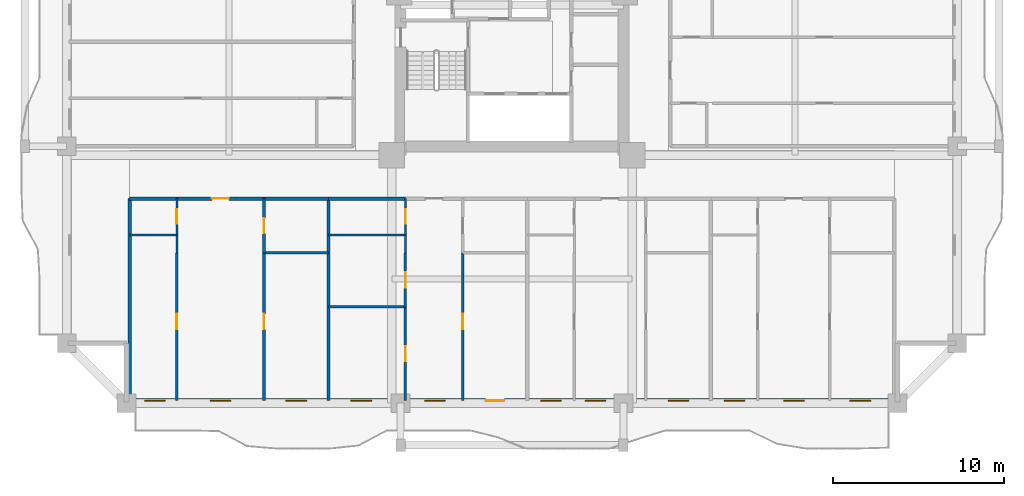
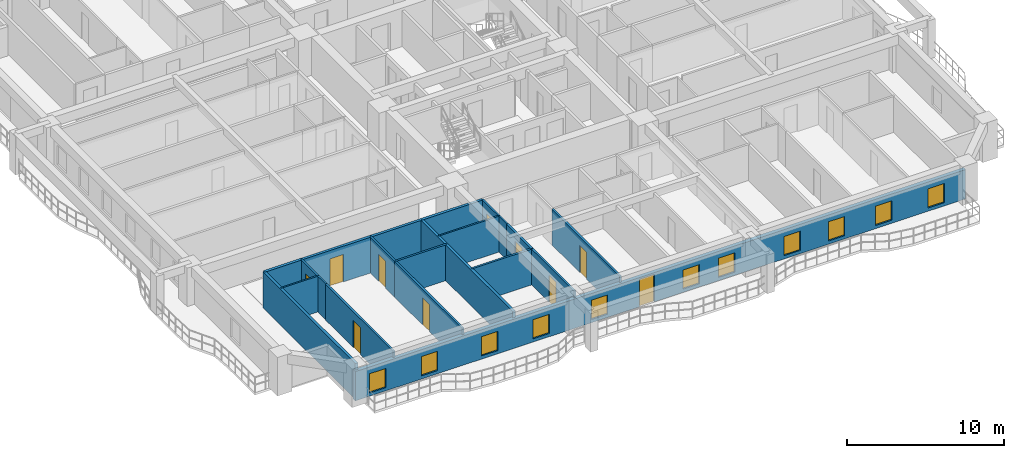
# One storey, part 2 of 16: 21 walls, 11 windows, 10 doors, 21 openings.
"""IFC4 building model written with IfcOpenShell, lengths in metres."""

from ifc_helpers import new_model, si_unit, direction, frame, frame_2d, origin, place, context, subcontext, project, spatial, rectangle, extrude, source, transform, mapped, material, layer, layer_set, type_object, element, fill, save


model = new_model("IFC4")

# Units and contexts
model_context = context("Model", 3, precision=1e-05, world=origin(), true_north=direction((0.0, 1.0)))
body_context = subcontext(model_context, "Body", "Model", "MODEL_VIEW")
ifc_project = project(units=[si_unit("LENGTHUNIT", "METRE"), si_unit("AREAUNIT", "SQUARE_METRE"), si_unit("VOLUMEUNIT", "CUBIC_METRE"), si_unit("PLANEANGLEUNIT", "RADIAN"), si_unit("MASSUNIT", "GRAM", prefix="KILO")], contexts=[model_context])

# Site, building, storey
site_placement = place(None, origin())
site = spatial("IfcSite", under=ifc_project, at=site_placement, CompositionType="ELEMENT")
building_placement = place(site_placement, origin())
building = spatial("IfcBuilding", under=site, at=building_placement, Name="Saelheon Loggia Tower", CompositionType="ELEMENT")
storey_placement = place(building_placement, frame((0.0, 0.0, 31.39990234375)))
storey = spatial("IfcBuildingStorey", under=building, at=storey_placement, Name="L09", CompositionType="ELEMENT", Elevation=31.39990234375)

# Wall, openings, windows, door
ifc_material_1 = material(Name="Architectural Precast Concrete C40/50", Category="concrete")
ifc_layer_1 = layer(ifc_material_1, 0.280029296875)
ifc_layer_set_1 = layer_set([ifc_layer_1], Name="Architectural Precast Concrete C40/50")
wall_type_1 = type_object("IfcWallType", Name="Wall_Ext_Loggia_280", PredefinedType="SOLIDWALL", material=ifc_layer_set_1)
wall_1_placement = place(storey_placement, frame((15.5, 3.139892578125, 0.0), z_axis=(0.0, 0.0, 1.0), x_axis=(1.0, 0.0, 0.0)))
wall_1 = element("IfcWall", 1, at=wall_1_placement, inside=storey, type_object=wall_type_1, Name="L09 South Loggia Inner Wall", PredefinedType="SOLIDWALL", context=body_context, shape_type="SweptSolid", body=[
    extrude(rectangle(XDim=45.0, YDim=0.280029296875, at=frame_2d((22.5, 0.0))), origin(), (0.0, 0.0, 1.0), 2.280029296875),
])
opening_1_placement = place(wall_1_placement, frame((1.06005859375, 0.0, 0.25)))
opening_1 = element("IfcOpeningElement", 2, at=opening_1_placement, cuts=wall_1, Name="Opening WN-03", PredefinedType="OPENING", context=body_context, shape_type="SweptSolid", body=[
    extrude(rectangle(XDim=1.199951171875, YDim=1.5, at=frame_2d((0.60009765625, 0.75))), frame((0.0, 0.152099609375, 0.0), z_axis=(0.0, -1.0, 0.0), x_axis=(1.0, 0.0, 0.0)), (0.0, 0.0, 1.0), 0.303955078125),
])
opening_2_placement = place(wall_1_placement, frame((4.875244140625, 0.0, 0.25)))
opening_2 = element("IfcOpeningElement", 3, at=opening_2_placement, cuts=wall_1, Name="Opening WN-03", PredefinedType="OPENING", context=body_context, shape_type="SweptSolid", body=[
    extrude(rectangle(XDim=1.199951171875, YDim=1.5, at=frame_2d((0.60009765625, 0.75))), frame((0.0, 0.152099609375, 0.0), z_axis=(0.0, -1.0, 0.0), x_axis=(1.0, 0.0, 0.0)), (0.0, 0.0, 1.0), 0.303955078125),
])
opening_3_placement = place(wall_1_placement, frame((9.303466796875, 0.0, 0.25)))
opening_3 = element("IfcOpeningElement", 4, at=opening_3_placement, cuts=wall_1, Name="Opening WN-03", PredefinedType="OPENING", context=body_context, shape_type="SweptSolid", body=[
    extrude(rectangle(XDim=1.199951171875, YDim=1.5, at=frame_2d((0.60009765625, 0.75))), frame((0.0, 0.152099609375, 0.0), z_axis=(0.0, -1.0, 0.0), x_axis=(1.0, 0.0, 0.0)), (0.0, 0.0, 1.0), 0.303955078125),
])
opening_4_placement = place(wall_1_placement, frame((13.09814453125, 0.0, 0.25)))
opening_4 = element("IfcOpeningElement", 5, at=opening_4_placement, cuts=wall_1, Name="Opening WN-03", PredefinedType="OPENING", context=body_context, shape_type="SweptSolid", body=[
    extrude(rectangle(XDim=1.199951171875, YDim=1.5, at=frame_2d((0.60009765625, 0.75))), frame((0.0, 0.152099609375, 0.0), z_axis=(0.0, -1.0, 0.0), x_axis=(1.0, 0.0, 0.0)), (0.0, 0.0, 1.0), 0.303955078125),
])
opening_5_placement = place(wall_1_placement, frame((17.408447265625, 0.0, 0.25)))
opening_5 = element("IfcOpeningElement", 6, at=opening_5_placement, cuts=wall_1, Name="Opening WN-03", PredefinedType="OPENING", context=body_context, shape_type="SweptSolid", body=[
    extrude(rectangle(XDim=1.199951171875, YDim=1.5, at=frame_2d((0.60009765625, 0.75))), frame((0.0, 0.152099609375, 0.0), z_axis=(0.0, -1.0, 0.0), x_axis=(1.0, 0.0, 0.0)), (0.0, 0.0, 1.0), 0.303955078125),
])
opening_6_placement = place(wall_1_placement, frame((22.059814453125, 0.0, 0.0), z_axis=(0.0, 0.0, 1.0), x_axis=(-1.0, 0.0, 0.0)))
opening_6 = element("IfcOpeningElement", 7, at=opening_6_placement, cuts=wall_1, Name="Opening TD1", PredefinedType="OPENING", context=body_context, shape_type="SweptSolid", body=[
    extrude(rectangle(XDim=1.10009765625, YDim=2.14990234375, at=frame_2d((0.550048828125, 1.074951171875))), frame((0.0, 0.152099609375, 0.0), z_axis=(0.0, -1.0, 0.0), x_axis=(1.0, 0.0, 0.0)), (0.0, 0.0, 1.0), 0.303955078125),
])
opening_7_placement = place(wall_1_placement, frame((24.167724609375, 0.0, 0.25)))
opening_7 = element("IfcOpeningElement", 8, at=opening_7_placement, cuts=wall_1, Name="Opening WN-03", PredefinedType="OPENING", context=body_context, shape_type="SweptSolid", body=[
    extrude(rectangle(XDim=1.199951171875, YDim=1.5, at=frame_2d((0.60009765625, 0.75))), frame((0.0, 0.152099609375, 0.0), z_axis=(0.0, -1.0, 0.0), x_axis=(1.0, 0.0, 0.0)), (0.0, 0.0, 1.0), 0.303955078125),
])
opening_8_placement = place(wall_1_placement, frame((26.7763671875, 0.0, 0.25)))
opening_8 = element("IfcOpeningElement", 9, at=opening_8_placement, cuts=wall_1, Name="Opening WN-03", PredefinedType="OPENING", context=body_context, shape_type="SweptSolid", body=[
    extrude(rectangle(XDim=1.199951171875, YDim=1.5, at=frame_2d((0.60009765625, 0.75))), frame((0.0, 0.152099609375, 0.0), z_axis=(0.0, -1.0, 0.0), x_axis=(1.0, 0.0, 0.0)), (0.0, 0.0, 1.0), 0.303955078125),
])
opening_9_placement = place(wall_1_placement, frame((31.61328125, 0.0, 0.25)))
opening_9 = element("IfcOpeningElement", 10, at=opening_9_placement, cuts=wall_1, Name="Opening WN-03", PredefinedType="OPENING", context=body_context, shape_type="SweptSolid", body=[
    extrude(rectangle(XDim=1.199951171875, YDim=1.5, at=frame_2d((0.60009765625, 0.75))), frame((0.0, 0.152099609375, 0.0), z_axis=(0.0, -1.0, 0.0), x_axis=(1.0, 0.0, 0.0)), (0.0, 0.0, 1.0), 0.303955078125),
])
opening_10_placement = place(wall_1_placement, frame((34.88134765625, 0.0, 0.25)))
opening_10 = element("IfcOpeningElement", 11, at=opening_10_placement, cuts=wall_1, Name="Opening WN-03", PredefinedType="OPENING", context=body_context, shape_type="SweptSolid", body=[
    extrude(rectangle(XDim=1.199951171875, YDim=1.5, at=frame_2d((0.60009765625, 0.75))), frame((0.0, 0.152099609375, 0.0), z_axis=(0.0, -1.0, 0.0), x_axis=(1.0, 0.0, 0.0)), (0.0, 0.0, 1.0), 0.303955078125),
])
opening_11_placement = place(wall_1_placement, frame((38.355224609375, 0.0, 0.25)))
opening_11 = element("IfcOpeningElement", 12, at=opening_11_placement, cuts=wall_1, Name="Opening WN-03", PredefinedType="OPENING", context=body_context, shape_type="SweptSolid", body=[
    extrude(rectangle(XDim=1.199951171875, YDim=1.5, at=frame_2d((0.60009765625, 0.75))), frame((0.0, 0.152099609375, 0.0), z_axis=(0.0, -1.0, 0.0), x_axis=(1.0, 0.0, 0.0)), (0.0, 0.0, 1.0), 0.303955078125),
])
opening_12_placement = place(wall_1_placement, frame((42.23193359375, 0.0, 0.25)))
opening_12 = element("IfcOpeningElement", 13, at=opening_12_placement, cuts=wall_1, Name="Opening WN-03", PredefinedType="OPENING", context=body_context, shape_type="SweptSolid", body=[
    extrude(rectangle(XDim=1.199951171875, YDim=1.5, at=frame_2d((0.60009765625, 0.75))), frame((0.0, 0.152099609375, 0.0), z_axis=(0.0, -1.0, 0.0), x_axis=(1.0, 0.0, 0.0)), (0.0, 0.0, 1.0), 0.303955078125),
])
ifc_material_2 = material(Name="Thermal-Break Aluminium and Triple Low-E Glass", Category="aluminium")
window_type = type_object("IfcWindowType", Name="Win_Bedroom_1200x1500", PartitioningType="SINGLE_PANEL", PredefinedType="WINDOW", material=ifc_material_2)
shared_shape_1 = source(origin(), body_context, "Body", "SweptSolid", [
    extrude(rectangle(XDim=1.199951171875, YDim=1.5, at=frame_2d((0.60009765625, 0.75))), frame((0.0, 0.030029296875, 0.0), z_axis=(0.0, -1.0, 0.0), x_axis=(1.0, 0.0, 0.0)), (0.0, 0.0, 1.0), 0.06005859375),
])
window_1_placement = place(opening_1_placement, origin())
window_1 = element("IfcWindow", 14, at=window_1_placement, inside=storey, type_object=window_type, Name="L09 S Dwelling Window 1", OverallHeight=1.5, OverallWidth=1.199951171875, PartitioningType="SINGLE_PANEL", PredefinedType="WINDOW", context=body_context, shape_type="MappedRepresentation", body=[
    mapped(shared_shape_1, transform((0.0, 0.0, 0.0), scale=1.0)),
])
fill(opening_1, window_1)
window_2_placement = place(opening_2_placement, origin())
window_2 = element("IfcWindow", 15, at=window_2_placement, inside=storey, type_object=window_type, Name="L09 S Dwelling Window 2", OverallHeight=1.5, OverallWidth=1.199951171875, PartitioningType="SINGLE_PANEL", PredefinedType="WINDOW", context=body_context, shape_type="MappedRepresentation", body=[
    mapped(shared_shape_1, transform((0.0, 0.0, 0.0), scale=1.0)),
])
fill(opening_2, window_2)
window_3_placement = place(opening_3_placement, origin())
window_3 = element("IfcWindow", 16, at=window_3_placement, inside=storey, type_object=window_type, Name="L09 S Dwelling Window 3", OverallHeight=1.5, OverallWidth=1.199951171875, PartitioningType="SINGLE_PANEL", PredefinedType="WINDOW", context=body_context, shape_type="MappedRepresentation", body=[
    mapped(shared_shape_1, transform((0.0, 0.0, 0.0), scale=1.0)),
])
fill(opening_3, window_3)
window_4_placement = place(opening_4_placement, origin())
window_4 = element("IfcWindow", 17, at=window_4_placement, inside=storey, type_object=window_type, Name="L09 S Dwelling Window 4", OverallHeight=1.5, OverallWidth=1.199951171875, PartitioningType="SINGLE_PANEL", PredefinedType="WINDOW", context=body_context, shape_type="MappedRepresentation", body=[
    mapped(shared_shape_1, transform((0.0, 0.0, 0.0), scale=1.0)),
])
fill(opening_4, window_4)
window_5_placement = place(opening_5_placement, origin())
window_5 = element("IfcWindow", 18, at=window_5_placement, inside=storey, type_object=window_type, Name="L09 S Dwelling Window 5", OverallHeight=1.5, OverallWidth=1.199951171875, PartitioningType="SINGLE_PANEL", PredefinedType="WINDOW", context=body_context, shape_type="MappedRepresentation", body=[
    mapped(shared_shape_1, transform((0.0, 0.0, 0.0), scale=1.0)),
])
fill(opening_5, window_5)
window_6_placement = place(opening_7_placement, origin())
window_6 = element("IfcWindow", 19, at=window_6_placement, inside=storey, type_object=window_type, Name="L09 S Dwelling Window 7", OverallHeight=1.5, OverallWidth=1.199951171875, PartitioningType="SINGLE_PANEL", PredefinedType="WINDOW", context=body_context, shape_type="MappedRepresentation", body=[
    mapped(shared_shape_1, transform((0.0, 0.0, 0.0), scale=1.0)),
])
fill(opening_7, window_6)
window_7_placement = place(opening_8_placement, origin())
window_7 = element("IfcWindow", 20, at=window_7_placement, inside=storey, type_object=window_type, Name="L09 S Dwelling Window 8", OverallHeight=1.5, OverallWidth=1.199951171875, PartitioningType="SINGLE_PANEL", PredefinedType="WINDOW", context=body_context, shape_type="MappedRepresentation", body=[
    mapped(shared_shape_1, transform((0.0, 0.0, 0.0), scale=1.0)),
])
fill(opening_8, window_7)
window_8_placement = place(opening_9_placement, origin())
window_8 = element("IfcWindow", 21, at=window_8_placement, inside=storey, type_object=window_type, Name="L09 S Dwelling Window 9", OverallHeight=1.5, OverallWidth=1.199951171875, PartitioningType="SINGLE_PANEL", PredefinedType="WINDOW", context=body_context, shape_type="MappedRepresentation", body=[
    mapped(shared_shape_1, transform((0.0, 0.0, 0.0), scale=1.0)),
])
fill(opening_9, window_8)
window_9_placement = place(opening_10_placement, origin())
window_9 = element("IfcWindow", 22, at=window_9_placement, inside=storey, type_object=window_type, Name="L09 S Dwelling Window 10", OverallHeight=1.5, OverallWidth=1.199951171875, PartitioningType="SINGLE_PANEL", PredefinedType="WINDOW", context=body_context, shape_type="MappedRepresentation", body=[
    mapped(shared_shape_1, transform((0.0, 0.0, 0.0), scale=1.0)),
])
fill(opening_10, window_9)
window_10_placement = place(opening_11_placement, origin())
window_10 = element("IfcWindow", 23, at=window_10_placement, inside=storey, type_object=window_type, Name="L09 S Dwelling Window 11", OverallHeight=1.5, OverallWidth=1.199951171875, PartitioningType="SINGLE_PANEL", PredefinedType="WINDOW", context=body_context, shape_type="MappedRepresentation", body=[
    mapped(shared_shape_1, transform((0.0, 0.0, 0.0), scale=1.0)),
])
fill(opening_11, window_10)
window_11_placement = place(opening_12_placement, origin())
window_11 = element("IfcWindow", 24, at=window_11_placement, inside=storey, type_object=window_type, Name="L09 S Dwelling Window 12", OverallHeight=1.5, OverallWidth=1.199951171875, PartitioningType="SINGLE_PANEL", PredefinedType="WINDOW", context=body_context, shape_type="MappedRepresentation", body=[
    mapped(shared_shape_1, transform((0.0, 0.0, 0.0), scale=1.0)),
])
fill(opening_12, window_11)
ifc_material_3 = material(Name="Thermal-Break Aluminium Glazed Door", Category="aluminium")
door_type_1 = type_object("IfcDoorType", Name="Door_Terrace_TD1", OperationType="NOTDEFINED", PredefinedType="DOOR", material=ifc_material_3)
shared_shape_2 = source(origin(), body_context, "Body", "SweptSolid", [
    extrude(rectangle(XDim=1.10009765625, YDim=2.14990234375, at=frame_2d((0.550048828125, 1.074951171875))), frame((0.0, 0.02490234375, 0.0), z_axis=(0.0, -1.0, 0.0), x_axis=(1.0, 0.0, 0.0)), (0.0, 0.0, 1.0), 0.050048828125),
])
door_1_placement = place(opening_6_placement, origin())
door_1 = element("IfcDoor", 25, at=door_1_placement, inside=storey, type_object=door_type_1, Name="L09 S Loggia Access Door", OperationType="SINGLE_SWING_RIGHT", OverallHeight=2.14990234375, OverallWidth=1.10009765625, PredefinedType="DOOR", context=body_context, shape_type="MappedRepresentation", body=[
    mapped(shared_shape_2, transform((0.0, 0.0, 0.0), scale=1.0)),
])
fill(opening_6, door_1)

# Wall
ifc_material_4 = material(Name="Lightweight Autoclaved Aerated Concrete Block and Acoustic Gypsum", Category="concrete")
ifc_layer_2 = layer(ifc_material_4, 0.14990234375)
ifc_layer_set_2 = layer_set([ifc_layer_2], Name="Lightweight Autoclaved Aerated Concrete Block and Acoustic Gypsum")
wall_type_2 = type_object("IfcWallType", Name="Wall_Part_150", PredefinedType="PARTITIONING", material=ifc_layer_set_2)
wall_2_placement = place(storey_placement, frame((23.5205078125, 11.780029296875, 0.0), z_axis=(0.0, 0.0, 1.0), x_axis=(1.0, 0.0, 0.0)))
element("IfcWall", 26, at=wall_2_placement, inside=storey, type_object=wall_type_2, Name="L09 S Partition V07", PredefinedType="PARTITIONING", context=body_context, shape_type="SweptSolid", body=[
    extrude(rectangle(XDim=3.765869140625, YDim=0.14990234375, at=frame_2d((1.8828125, 0.0))), origin(), (0.0, 0.0, 1.0), 2.7900390625),
])

# Wall, opening, door
wall_3_placement = place(storey_placement, frame((18.429931640625, 11.780029296875, 0.0), z_axis=(0.0, 0.0, 1.0), x_axis=(0.0, -1.0, 0.0)))
wall_3 = element("IfcWall", 27, at=wall_3_placement, inside=storey, type_object=wall_type_2, Name="L09 S Partition U10", PredefinedType="PARTITIONING", context=body_context, shape_type="SweptSolid", body=[
    extrude(rectangle(XDim=8.630126953125, YDim=0.14990234375, at=frame_2d((4.31494140625, 0.0))), origin(), (0.0, 0.0, 1.0), 2.7900390625),
])
opening_13_placement = place(wall_3_placement, frame((3.56298828125, 0.0, 0.0)))
opening_13 = element("IfcOpeningElement", 28, at=opening_13_placement, cuts=wall_3, Name="Opening D-IN2", PredefinedType="OPENING", context=body_context, shape_type="SweptSolid", body=[
    extrude(rectangle(XDim=0.89990234375, YDim=2.10009765625, at=frame_2d((0.449951171875, 1.050048828125))), frame((0.0, 0.0869140625, 0.0), z_axis=(0.0, -1.0, 0.0), x_axis=(1.0, 0.0, 0.0)), (0.0, 0.0, 1.0), 0.173828125),
])
ifc_material_5 = material(Name="Engineered Oak Flush Door", Category="timber")
door_type_2 = type_object("IfcDoorType", Name="Door_Int_900", OperationType="NOTDEFINED", PredefinedType="DOOR", material=ifc_material_5)
shared_shape_3 = source(origin(), body_context, "Body", "SweptSolid", [
    extrude(rectangle(XDim=0.89990234375, YDim=2.10009765625, at=frame_2d((0.449951171875, 1.050048828125))), frame((0.0, 0.02490234375, 0.0), z_axis=(0.0, -1.0, 0.0), x_axis=(1.0, 0.0, 0.0)), (0.0, 0.0, 1.0), 0.050048828125),
])
door_2_placement = place(opening_13_placement, origin())
door_2 = element("IfcDoor", 29, at=door_2_placement, inside=storey, type_object=door_type_2, Name="Unit U01 Kitchen Door", OperationType="SINGLE_SWING_LEFT", OverallHeight=2.10009765625, OverallWidth=0.89990234375, PredefinedType="DOOR", context=body_context, shape_type="MappedRepresentation", body=[
    mapped(shared_shape_3, transform((0.0, 0.0, 0.0), scale=1.0)),
])
fill(opening_13, door_2)

wall_4_placement = place(storey_placement, frame((23.5205078125, 14.949951171875, 0.0), z_axis=(0.0, 0.0, 1.0), x_axis=(0.0, -1.0, 0.0)))
wall_4 = element("IfcWall", 30, at=wall_4_placement, inside=storey, type_object=wall_type_2, Name="L09 S Partition U11", PredefinedType="PARTITIONING", context=body_context, shape_type="SweptSolid", body=[
    extrude(rectangle(XDim=3.169921875, YDim=0.14990234375, at=frame_2d((1.5849609375, 0.0))), origin(), (0.0, 0.0, 1.0), 2.7900390625),
])
opening_14_placement = place(wall_4_placement, frame((1.135009765625, 0.0, 0.0)))
opening_14 = element("IfcOpeningElement", 31, at=opening_14_placement, cuts=wall_4, Name="Opening D-IN2", PredefinedType="OPENING", context=body_context, shape_type="SweptSolid", body=[
    extrude(rectangle(XDim=0.89990234375, YDim=2.10009765625, at=frame_2d((0.449951171875, 1.050048828125))), frame((0.0, 0.0869140625, 0.0), z_axis=(0.0, -1.0, 0.0), x_axis=(1.0, 0.0, 0.0)), (0.0, 0.0, 1.0), 0.173828125),
])
door_3_placement = place(opening_14_placement, origin())
door_3 = element("IfcDoor", 32, at=door_3_placement, inside=storey, type_object=door_type_2, Name="Unit U01 Home Office Door", OperationType="SINGLE_SWING_RIGHT", OverallHeight=2.10009765625, OverallWidth=0.89990234375, PredefinedType="DOOR", context=body_context, shape_type="MappedRepresentation", body=[
    mapped(shared_shape_3, transform((0.0, 0.0, 0.0), scale=1.0)),
])
fill(opening_14, door_3)

wall_5_placement = place(storey_placement, frame((23.5205078125, 11.780029296875, 0.0), z_axis=(0.0, 0.0, 1.0), x_axis=(0.0, -1.0, 0.0)))
wall_5 = element("IfcWall", 33, at=wall_5_placement, inside=storey, type_object=wall_type_2, Name="L09 S Partition U12", PredefinedType="PARTITIONING", context=body_context, shape_type="SweptSolid", body=[
    extrude(rectangle(XDim=8.630126953125, YDim=0.14990234375, at=frame_2d((4.31494140625, 0.0))), origin(), (0.0, 0.0, 1.0), 2.7900390625),
])
opening_15_placement = place(wall_5_placement, frame((3.56298828125, 0.0, 0.0)))
opening_15 = element("IfcOpeningElement", 34, at=opening_15_placement, cuts=wall_5, Name="Opening D-IN2", PredefinedType="OPENING", context=body_context, shape_type="SweptSolid", body=[
    extrude(rectangle(XDim=0.89990234375, YDim=2.10009765625, at=frame_2d((0.449951171875, 1.050048828125))), frame((0.0, 0.0869140625, 0.0), z_axis=(0.0, -1.0, 0.0), x_axis=(1.0, 0.0, 0.0)), (0.0, 0.0, 1.0), 0.173828125),
])
door_4_placement = place(opening_15_placement, origin())
door_4 = element("IfcDoor", 35, at=door_4_placement, inside=storey, type_object=door_type_2, Name="Unit U01 Bedroom 1 Door", OperationType="SINGLE_SWING_LEFT", OverallHeight=2.10009765625, OverallWidth=0.89990234375, PredefinedType="DOOR", context=body_context, shape_type="MappedRepresentation", body=[
    mapped(shared_shape_3, transform((0.0, 0.0, 0.0), scale=1.0)),
])
fill(opening_15, door_4)

# Wall
wall_6_placement = place(storey_placement, frame((27.286376953125, 8.6298828125, 0.0), z_axis=(0.0, 0.0, 1.0), x_axis=(1.0, 0.0, 0.0)))
element("IfcWall", 36, at=wall_6_placement, inside=storey, type_object=wall_type_2, Name="L09 S Partition V21", PredefinedType="PARTITIONING", context=body_context, shape_type="SweptSolid", body=[
    extrude(rectangle(XDim=4.49365234375, YDim=0.14990234375, at=frame_2d((2.246826171875, 0.0))), origin(), (0.0, 0.0, 1.0), 2.7900390625),
])

# Wall, opening, door
wall_7_placement = place(storey_placement, frame((31.780029296875, 11.780029296875, 0.0), z_axis=(0.0, 0.0, 1.0), x_axis=(0.0, -1.0, 0.0)))
wall_7 = element("IfcWall", 37, at=wall_7_placement, inside=storey, type_object=wall_type_2, Name="L09 S Partition U22", PredefinedType="PARTITIONING", context=body_context, shape_type="SweptSolid", body=[
    extrude(rectangle(XDim=3.150146484375, YDim=0.14990234375, at=frame_2d((1.5751953125, 0.0))), origin(), (0.0, 0.0, 1.0), 2.7900390625),
])
opening_16_placement = place(wall_7_placement, frame((1.125, 0.0, 0.0)))
opening_16 = element("IfcOpeningElement", 38, at=opening_16_placement, cuts=wall_7, Name="Opening D-IN2", PredefinedType="OPENING", context=body_context, shape_type="SweptSolid", body=[
    extrude(rectangle(XDim=0.89990234375, YDim=2.10009765625, at=frame_2d((0.449951171875, 1.050048828125))), frame((0.0, 0.0869140625, 0.0), z_axis=(0.0, -1.0, 0.0), x_axis=(1.0, 0.0, 0.0)), (0.0, 0.0, 1.0), 0.173828125),
])
door_5_placement = place(opening_16_placement, origin())
door_5 = element("IfcDoor", 39, at=door_5_placement, inside=storey, type_object=door_type_2, Name="Unit U02 Kitchen Door", OperationType="SINGLE_SWING_RIGHT", OverallHeight=2.10009765625, OverallWidth=0.89990234375, PredefinedType="DOOR", context=body_context, shape_type="MappedRepresentation", body=[
    mapped(shared_shape_3, transform((0.0, 0.0, 0.0), scale=1.0)),
])
fill(opening_16, door_5)

wall_8_placement = place(storey_placement, frame((31.780029296875, 8.6298828125, 0.0), z_axis=(0.0, 0.0, 1.0), x_axis=(0.0, -1.0, 0.0)))
wall_8 = element("IfcWall", 40, at=wall_8_placement, inside=storey, type_object=wall_type_2, Name="L09 S Partition U23", PredefinedType="PARTITIONING", context=body_context, shape_type="SweptSolid", body=[
    extrude(rectangle(XDim=5.47998046875, YDim=0.14990234375, at=frame_2d((2.739990234375, 0.0))), origin(), (0.0, 0.0, 1.0), 2.7900390625),
])
opening_17_placement = place(wall_8_placement, frame((2.2900390625, 0.0, 0.0)))
opening_17 = element("IfcOpeningElement", 41, at=opening_17_placement, cuts=wall_8, Name="Opening D-IN2", PredefinedType="OPENING", context=body_context, shape_type="SweptSolid", body=[
    extrude(rectangle(XDim=0.89990234375, YDim=2.10009765625, at=frame_2d((0.449951171875, 1.050048828125))), frame((0.0, 0.0869140625, 0.0), z_axis=(0.0, -1.0, 0.0), x_axis=(1.0, 0.0, 0.0)), (0.0, 0.0, 1.0), 0.173828125),
])
door_6_placement = place(opening_17_placement, origin())
door_6 = element("IfcDoor", 42, at=door_6_placement, inside=storey, type_object=door_type_2, Name="Unit U02 Utility Door", OperationType="SINGLE_SWING_LEFT", OverallHeight=2.10009765625, OverallWidth=0.89990234375, PredefinedType="DOOR", context=body_context, shape_type="MappedRepresentation", body=[
    mapped(shared_shape_3, transform((0.0, 0.0, 0.0), scale=1.0)),
])
fill(opening_17, door_6)

wall_9_placement = place(storey_placement, frame((35.126953125, 11.780029296875, 0.0), z_axis=(0.0, 0.0, 1.0), x_axis=(0.0, -1.0, 0.0)))
wall_9 = element("IfcWall", 43, at=wall_9_placement, inside=storey, type_object=wall_type_2, Name="L09 S Partition U25", PredefinedType="PARTITIONING", context=body_context, shape_type="SweptSolid", body=[
    extrude(rectangle(XDim=8.630126953125, YDim=0.14990234375, at=frame_2d((4.31494140625, 0.0))), origin(), (0.0, 0.0, 1.0), 2.7900390625),
])
opening_18_placement = place(wall_9_placement, frame((3.56298828125, 0.0, 0.0)))
opening_18 = element("IfcOpeningElement", 44, at=opening_18_placement, cuts=wall_9, Name="Opening D-IN2", PredefinedType="OPENING", context=body_context, shape_type="SweptSolid", body=[
    extrude(rectangle(XDim=0.89990234375, YDim=2.10009765625, at=frame_2d((0.449951171875, 1.050048828125))), frame((0.0, 0.0869140625, 0.0), z_axis=(0.0, -1.0, 0.0), x_axis=(1.0, 0.0, 0.0)), (0.0, 0.0, 1.0), 0.173828125),
])
door_7_placement = place(opening_18_placement, origin())
door_7 = element("IfcDoor", 45, at=door_7_placement, inside=storey, type_object=door_type_2, Name="Unit U02 Bedroom 1 Door", OperationType="SINGLE_SWING_LEFT", OverallHeight=2.10009765625, OverallWidth=0.89990234375, PredefinedType="DOOR", context=body_context, shape_type="MappedRepresentation", body=[
    mapped(shared_shape_3, transform((0.0, 0.0, 0.0), scale=1.0)),
])
fill(opening_18, door_7)

# Walls
ifc_material_6 = material(Name="Double Acoustic Stud and Fireboard Partition", Category="gypsum")
ifc_layer_3 = layer(ifc_material_6, 0.199951171875)
ifc_layer_set_3 = layer_set([ifc_layer_3], Name="Double Acoustic Stud and Fireboard Partition")
wall_type_3 = type_object("IfcWallType", Name="Wall_Party_200", PredefinedType="PARTITIONING", material=ifc_layer_set_3)
wall_10_placement = place(storey_placement, frame((15.679931640625, 14.949951171875, 0.0), z_axis=(0.0, 0.0, 1.0), x_axis=(0.0, -1.0, 0.0)))
element("IfcWall", 46, at=wall_10_placement, inside=storey, type_object=wall_type_3, Name="L09 S Partition U01", PredefinedType="PARTITIONING", context=body_context, shape_type="SweptSolid", body=[
    extrude(rectangle(XDim=11.800048828125, YDim=0.199951171875, at=frame_2d((5.89990234375, 0.0))), origin(), (0.0, 0.0, 1.0), 2.7900390625),
])
wall_11_placement = place(storey_placement, frame((15.679931640625, 14.949951171875, 0.0), z_axis=(0.0, 0.0, 1.0), x_axis=(1.0, 0.0, 0.0)))
element("IfcWall", 47, at=wall_11_placement, inside=storey, type_object=wall_type_3, Name="L09 S Partition V03", PredefinedType="PARTITIONING", context=body_context, shape_type="SweptSolid", body=[
    extrude(rectangle(XDim=2.75, YDim=0.199951171875, at=frame_2d((1.375, 0.0))), origin(), (0.0, 0.0, 1.0), 2.7900390625),
])

# Wall, opening, door
wall_12_placement = place(storey_placement, frame((18.429931640625, 14.949951171875, 0.0), z_axis=(0.0, 0.0, 1.0), x_axis=(1.0, 0.0, 0.0)))
wall_12 = element("IfcWall", 48, at=wall_12_placement, inside=storey, type_object=wall_type_3, Name="L09 S Partition V04", PredefinedType="PARTITIONING", context=body_context, shape_type="SweptSolid", body=[
    extrude(rectangle(XDim=5.090576171875, YDim=0.199951171875, at=frame_2d((2.54541015625, 0.0))), origin(), (0.0, 0.0, 1.0), 2.7900390625),
])
opening_19_placement = place(wall_12_placement, frame((2.045166015625, 0.0, 0.0)))
opening_19 = element("IfcOpeningElement", 49, at=opening_19_placement, cuts=wall_12, Name="Opening D-FD1", PredefinedType="OPENING", context=body_context, shape_type="SweptSolid", body=[
    extrude(rectangle(XDim=1.0, YDim=2.14990234375, at=frame_2d((0.5, 1.074951171875))), frame((0.0, 0.112060546875, 0.0), z_axis=(0.0, -1.0, 0.0), x_axis=(1.0, 0.0, 0.0)), (0.0, 0.0, 1.0), 0.223876953125),
])
ifc_material_7 = material(Name="Fire-Rated Engineered Timber Entrance Door", Category="wood")
door_type_3 = type_object("IfcDoorType", Name="Door_Flat_FD30S", OperationType="NOTDEFINED", PredefinedType="DOOR", material=ifc_material_7)
shared_shape_4 = source(origin(), body_context, "Body", "SweptSolid", [
    extrude(rectangle(XDim=1.0, YDim=2.14990234375, at=frame_2d((0.5, 1.074951171875))), frame((0.0, 0.02490234375, 0.0), z_axis=(0.0, -1.0, 0.0), x_axis=(1.0, 0.0, 0.0)), (0.0, 0.0, 1.0), 0.050048828125),
])
door_8_placement = place(opening_19_placement, origin())
door_8 = element("IfcDoor", 50, at=door_8_placement, inside=storey, type_object=door_type_3, Name="Unit U01 Entrance Door", OperationType="SINGLE_SWING_LEFT", OverallHeight=2.14990234375, OverallWidth=1.0, PredefinedType="DOOR", context=body_context, shape_type="MappedRepresentation", body=[
    mapped(shared_shape_4, transform((0.0, 0.0, 0.0), scale=1.0)),
])
fill(opening_19, door_8)

# Walls
wall_13_placement = place(storey_placement, frame((23.5205078125, 14.949951171875, 0.0), z_axis=(0.0, 0.0, 1.0), x_axis=(1.0, 0.0, 0.0)))
element("IfcWall", 51, at=wall_13_placement, inside=storey, type_object=wall_type_3, Name="L09 S Partition V05", PredefinedType="PARTITIONING", context=body_context, shape_type="SweptSolid", body=[
    extrude(rectangle(XDim=3.765869140625, YDim=0.199951171875, at=frame_2d((1.8828125, 0.0))), origin(), (0.0, 0.0, 1.0), 2.7900390625),
])
wall_14_placement = place(storey_placement, frame((27.286376953125, 14.949951171875, 0.0), z_axis=(0.0, 0.0, 1.0), x_axis=(0.0, -1.0, 0.0)))
element("IfcWall", 52, at=wall_14_placement, inside=storey, type_object=wall_type_3, Name="L09 S Partition U13", PredefinedType="PARTITIONING", context=body_context, shape_type="SweptSolid", body=[
    extrude(rectangle(XDim=11.800048828125, YDim=0.199951171875, at=frame_2d((5.89990234375, 0.0))), origin(), (0.0, 0.0, 1.0), 2.7900390625),
])
wall_15_placement = place(storey_placement, frame((27.286376953125, 14.949951171875, 0.0), z_axis=(0.0, 0.0, 1.0), x_axis=(1.0, 0.0, 0.0)))
element("IfcWall", 53, at=wall_15_placement, inside=storey, type_object=wall_type_3, Name="L09 S Partition V14", PredefinedType="PARTITIONING", context=body_context, shape_type="SweptSolid", body=[
    extrude(rectangle(XDim=4.49365234375, YDim=0.199951171875, at=frame_2d((2.246826171875, 0.0))), origin(), (0.0, 0.0, 1.0), 2.7900390625),
])
ifc_material_8 = material(Name="Moisture-Resistant Cement Board Partition", Category="gypsum")
ifc_layer_4 = layer(ifc_material_8, 0.1201171875)
ifc_layer_set_4 = layer_set([ifc_layer_4], Name="Moisture-Resistant Cement Board Partition")
wall_type_4 = type_object("IfcWallType", Name="Wall_WetPart_120", PredefinedType="PARTITIONING", material=ifc_layer_set_4)
wall_16_placement = place(storey_placement, frame((15.679931640625, 12.830078125, 0.0), z_axis=(0.0, 0.0, 1.0), x_axis=(1.0, 0.0, 0.0)))
element("IfcWall", 54, at=wall_16_placement, inside=storey, type_object=wall_type_4, Name="L09 S Partition V06", PredefinedType="PARTITIONING", context=body_context, shape_type="SweptSolid", body=[
    extrude(rectangle(XDim=2.75, YDim=0.1201171875, at=frame_2d((1.375, 0.0))), origin(), (0.0, 0.0, 1.0), 2.7900390625),
])

# Wall, opening, door
wall_17_placement = place(storey_placement, frame((18.429931640625, 14.949951171875, 0.0), z_axis=(0.0, 0.0, 1.0), x_axis=(0.0, -1.0, 0.0)))
wall_17 = element("IfcWall", 55, at=wall_17_placement, inside=storey, type_object=wall_type_4, Name="L09 S Partition U08", PredefinedType="PARTITIONING", context=body_context, shape_type="SweptSolid", body=[
    extrude(rectangle(XDim=2.119873046875, YDim=0.1201171875, at=frame_2d((1.06005859375, 0.0))), origin(), (0.0, 0.0, 1.0), 2.7900390625),
])
opening_20_placement = place(wall_17_placement, frame((0.635009765625, 0.0, 0.0)))
opening_20 = element("IfcOpeningElement", 56, at=opening_20_placement, cuts=wall_17, Name="Opening D-BT1", PredefinedType="OPENING", context=body_context, shape_type="SweptSolid", body=[
    extrude(rectangle(XDim=0.85009765625, YDim=2.050048828125, at=frame_2d((0.425048828125, 1.02490234375))), frame((0.0, 0.072021484375, 0.0), z_axis=(0.0, -1.0, 0.0), x_axis=(1.0, 0.0, 0.0)), (0.0, 0.0, 1.0), 0.14404296875),
])
ifc_material_9 = material(Name="Moisture-Resistant Laminate Timber Door", Category="wood")
door_type_4 = type_object("IfcDoorType", Name="Door_Bath_850", OperationType="NOTDEFINED", PredefinedType="DOOR", material=ifc_material_9)
shared_shape_5 = source(origin(), body_context, "Body", "SweptSolid", [
    extrude(rectangle(XDim=0.85009765625, YDim=2.050048828125, at=frame_2d((0.425048828125, 1.02490234375))), frame((0.0, 0.02490234375, 0.0), z_axis=(0.0, -1.0, 0.0), x_axis=(1.0, 0.0, 0.0)), (0.0, 0.0, 1.0), 0.050048828125),
])
door_9_placement = place(opening_20_placement, origin())
door_9 = element("IfcDoor", 57, at=door_9_placement, inside=storey, type_object=door_type_4, Name="Unit U01 Bathroom Door", OperationType="SINGLE_SWING_RIGHT", OverallHeight=2.050048828125, OverallWidth=0.85009765625, PredefinedType="DOOR", context=body_context, shape_type="MappedRepresentation", body=[
    mapped(shared_shape_5, transform((0.0, 0.0, 0.0), scale=1.0)),
])
fill(opening_20, door_9)

# Walls
wall_18_placement = place(storey_placement, frame((18.429931640625, 12.830078125, 0.0), z_axis=(0.0, 0.0, 1.0), x_axis=(0.0, -1.0, 0.0)))
element("IfcWall", 58, at=wall_18_placement, inside=storey, type_object=wall_type_4, Name="L09 S Partition U09", PredefinedType="PARTITIONING", context=body_context, shape_type="SweptSolid", body=[
    extrude(rectangle(XDim=1.050048828125, YDim=0.1201171875, at=frame_2d((0.52490234375, 0.0))), origin(), (0.0, 0.0, 1.0), 2.7900390625),
])
wall_19_placement = place(storey_placement, frame((27.286376953125, 12.830078125, 0.0), z_axis=(0.0, 0.0, 1.0), x_axis=(1.0, 0.0, 0.0)))
element("IfcWall", 59, at=wall_19_placement, inside=storey, type_object=wall_type_4, Name="L09 S Partition V17", PredefinedType="PARTITIONING", context=body_context, shape_type="SweptSolid", body=[
    extrude(rectangle(XDim=4.49365234375, YDim=0.1201171875, at=frame_2d((2.246826171875, 0.0))), origin(), (0.0, 0.0, 1.0), 2.7900390625),
])

# Wall, opening, door
wall_20_placement = place(storey_placement, frame((31.780029296875, 14.949951171875, 0.0), z_axis=(0.0, 0.0, 1.0), x_axis=(0.0, -1.0, 0.0)))
wall_20 = element("IfcWall", 60, at=wall_20_placement, inside=storey, type_object=wall_type_4, Name="L09 S Partition U19", PredefinedType="PARTITIONING", context=body_context, shape_type="SweptSolid", body=[
    extrude(rectangle(XDim=2.119873046875, YDim=0.1201171875, at=frame_2d((1.06005859375, 0.0))), origin(), (0.0, 0.0, 1.0), 2.7900390625),
])
opening_21_placement = place(wall_20_placement, frame((0.635009765625, 0.0, 0.0)))
opening_21 = element("IfcOpeningElement", 61, at=opening_21_placement, cuts=wall_20, Name="Opening D-BT1", PredefinedType="OPENING", context=body_context, shape_type="SweptSolid", body=[
    extrude(rectangle(XDim=0.85009765625, YDim=2.050048828125, at=frame_2d((0.425048828125, 1.02490234375))), frame((0.0, 0.072021484375, 0.0), z_axis=(0.0, -1.0, 0.0), x_axis=(1.0, 0.0, 0.0)), (0.0, 0.0, 1.0), 0.14404296875),
])
door_10_placement = place(opening_21_placement, origin())
door_10 = element("IfcDoor", 62, at=door_10_placement, inside=storey, type_object=door_type_4, Name="Unit U02 Bathroom Door", OperationType="SINGLE_SWING_LEFT", OverallHeight=2.050048828125, OverallWidth=0.85009765625, PredefinedType="DOOR", context=body_context, shape_type="MappedRepresentation", body=[
    mapped(shared_shape_5, transform((0.0, 0.0, 0.0), scale=1.0)),
])
fill(opening_21, door_10)

# Wall
wall_21_placement = place(storey_placement, frame((31.780029296875, 12.830078125, 0.0), z_axis=(0.0, 0.0, 1.0), x_axis=(0.0, -1.0, 0.0)))
element("IfcWall", 63, at=wall_21_placement, inside=storey, type_object=wall_type_4, Name="L09 S Partition U20", PredefinedType="PARTITIONING", context=body_context, shape_type="SweptSolid", body=[
    extrude(rectangle(XDim=1.050048828125, YDim=0.1201171875, at=frame_2d((0.52490234375, 0.0))), origin(), (0.0, 0.0, 1.0), 2.7900390625),
])

save(model, "model.ifc")
